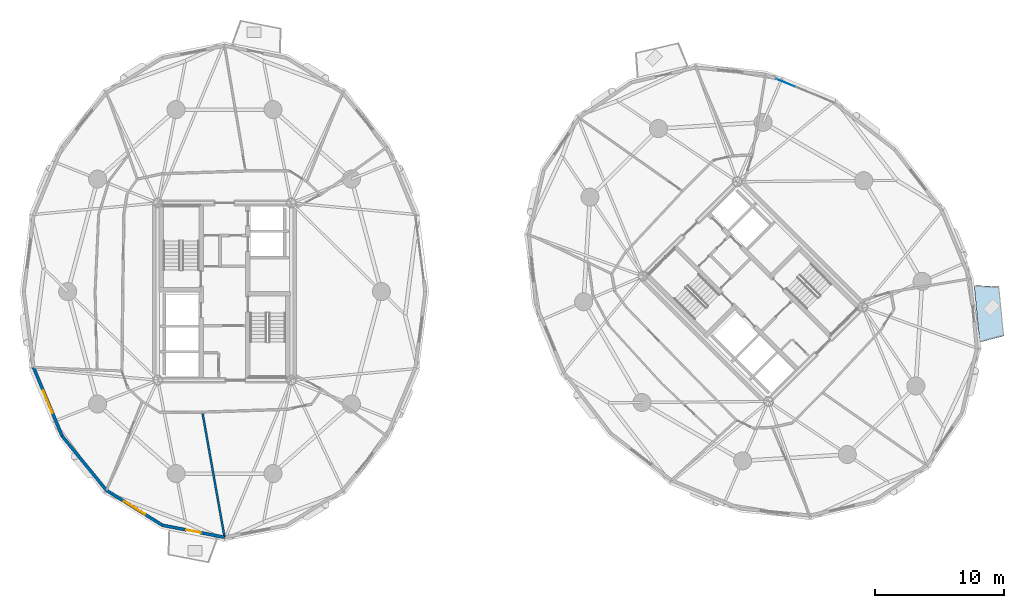
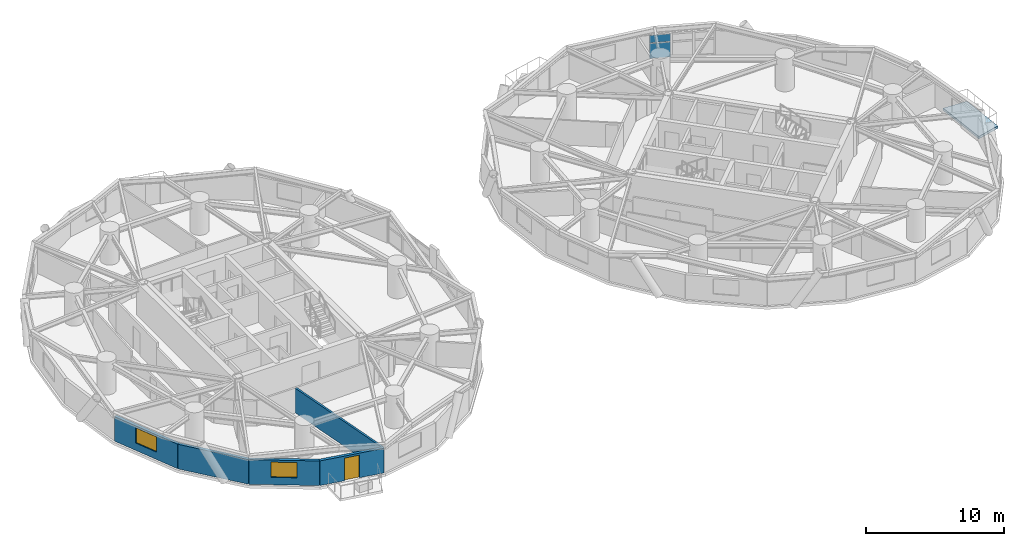
# One storey, part 8 of 17: 5 walls, 2 plates, 2 windows, 1 door, 1 slab, 3 openings, 1 element without a shape of its own.
"""IFC4 building model written with IfcOpenShell, lengths in metres."""

from ifc_helpers import new_model, si_unit, direction, frame, frame_2d, origin, origin_2d, place, context, subcontext, project, spatial, polyline, rectangle, outline, extrude, source, transform, mapped, material, layer, layer_set, type_object, element, fill, aggregate, save


model = new_model("IFC4")

# Units and contexts
model_context = context("Model", 3, precision=1e-05, world=origin(), true_north=direction((0.0, 1.0)))
body_context = subcontext(model_context, "Body", "Model", "MODEL_VIEW")
ifc_project = project(units=[si_unit("LENGTHUNIT", "METRE"), si_unit("AREAUNIT", "SQUARE_METRE"), si_unit("VOLUMEUNIT", "CUBIC_METRE"), si_unit("PLANEANGLEUNIT", "RADIAN"), si_unit("MASSUNIT", "GRAM", prefix="KILO")], contexts=[model_context])

# Site, building, storey
site_placement = place(None, origin())
site = spatial("IfcSite", under=ifc_project, at=site_placement, CompositionType="ELEMENT")
building_placement = place(site_placement, origin())
building = spatial("IfcBuilding", under=site, at=building_placement, Name="Cununo Teusaquillo Station Towers", CompositionType="ELEMENT")
storey_placement = place(building_placement, frame((0.0, 0.0, 113.800048828125)))
storey = spatial("IfcBuildingStorey", under=building, at=storey_placement, Name="L36", CompositionType="ELEMENT", Elevation=113.800048828125)

# Slab
ifc_material_1 = material(Name="Concrete C50/60", Category="concrete")
ifc_layer_1 = layer(ifc_material_1, 0.2099609375)
ifc_layer_set_1 = layer_set([ifc_layer_1], Name="Concrete C50/60")
slab_type = type_object("IfcSlabType", Name="SLB-BAL-210", PredefinedType="FLOOR", material=ifc_layer_set_1)
slab_placement = place(storey_placement, frame((0.0, 0.0, -0.2099609375)))
element("IfcSlab", 1, at=slab_placement, inside=storey, type_object=slab_type, Name="L36 Tower B Tree Balcony Slab 2", PredefinedType="FLOOR", context=body_context, shape_type="SweptSolid", body=[
    extrude(outline(polyline([(75.1123046875, 20.57080078125), (74.675048828125, 24.984375), (76.6103515625, 24.87451171875), (76.988525390625, 21.05810546875), (75.1123046875, 20.57080078125)])), origin(), (0.0, 0.0, 1.0), 0.2099609375),
])

# Curtain wall, plates
ifc_material_2 = material(Name="Ceramic-fritted dark low-E double glazing", Category="glass")
ifc_layer_2 = layer(ifc_material_2, 0.179931640625)
ifc_layer_set_2 = layer_set([ifc_layer_2], Name="Ceramic-fritted dark low-E double glazing")
curtain_wall_type = type_object("IfcCurtainWallType", Name="CW-SYS-04", PredefinedType="USERDEFINED", material=ifc_layer_set_2)
curtain_wall_placement = place(storey_placement, origin())
curtain_wall = element("IfcCurtainWall", 2, at=curtain_wall_placement, inside=storey, type_object=curtain_wall_type, Name="L36 Tower B Facade Curtain Wall C01", ObjectType="FRITTED GLAZING", PredefinedType="USERDEFINED")
ifc_material_3 = material(Name="Ceramic-fritted dark low-E double glazing", Category="glass")
ifc_layer_3 = layer(ifc_material_3, 0.028076171875)
ifc_layer_set_3 = layer_set([ifc_layer_3], Name="Ceramic-fritted dark low-E double glazing")
plate_type = type_object("IfcPlateType", Name="CWP-FRIT-28", PredefinedType="CURTAIN_PANEL", material=ifc_layer_set_3)
shared_shape_1 = source(origin(), body_context, "Body", "SweptSolid", [
    extrude(rectangle(XDim=1.531005859375, YDim=0.028076171875, at=origin_2d()), origin(), (0.0, 0.0, 1.0), 1.31103515625),
])
plate_1_placement = place(storey_placement, frame((60.045654296875, 40.697021484375, 0.06982421875), z_axis=(0.0, 0.0, 1.0), x_axis=(0.924562443652, -0.381030560176, 0.0)))
plate_1 = element("IfcPlate", 3, at=plate_1_placement, type_object=plate_type, Name="CW-04 panel 1.1", PredefinedType="CURTAIN_PANEL", context=body_context, shape_type="MappedRepresentation", body=[
    mapped(shared_shape_1, transform((0.0, 0.0, 0.0), x_axis=(1.0, 0.0, 0.0), y_axis=(0.0, 1.0, 0.0), z_axis=(0.0, 0.0, 1.0), scale=1.0)),
])
shared_shape_2 = source(origin(), body_context, "Body", "SweptSolid", [
    extrude(rectangle(XDim=1.531005859375, YDim=0.028076171875, at=origin_2d()), origin(), (0.0, 0.0, 1.0), 0.657958984375),
])
plate_2_placement = place(storey_placement, frame((60.045654296875, 40.697021484375, 1.451171875), z_axis=(0.0, 0.0, 1.0), x_axis=(0.924562443652, -0.381030560176, 0.0)))
plate_2 = element("IfcPlate", 4, at=plate_2_placement, type_object=plate_type, Name="CW-04 panel 1.2", PredefinedType="CURTAIN_PANEL", context=body_context, shape_type="MappedRepresentation", body=[
    mapped(shared_shape_2, transform((0.0, 0.0, 0.0), x_axis=(1.0, 0.0, 0.0), y_axis=(0.0, 1.0, 0.0), z_axis=(0.0, 0.0, 1.0), scale=1.0)),
])
aggregate(curtain_wall, [plate_1, plate_2])

# Wall, opening, window
ifc_material_4 = material(Name="Precast concrete C40/50", Category="concrete")
ifc_layer_4 = layer(ifc_material_4, 0.239990234375)
ifc_layer_set_4 = layer_set([ifc_layer_4], Name="Precast concrete C40/50")
wall_type_1 = type_object("IfcWallType", Name="WL-EXT-240", PredefinedType="SOLIDWALL", material=ifc_layer_set_4)
wall_1_placement = place(storey_placement, frame((3.894775390625, 13.291015625, 0.0), z_axis=(0.0, 0.0, 1.0), x_axis=(-0.384344417632, 0.923189779317, 0.0)))
wall_1 = element("IfcWall", 5, at=wall_1_placement, inside=storey, type_object=wall_type_1, Name="L36 Tower A Exterior Facade Wall C11", PredefinedType="SOLIDWALL", context=body_context, shape_type="SweptSolid", body=[
    extrude(rectangle(XDim=5.75830078125, YDim=0.239990234375, at=frame_2d((2.879150390625, 0.0))), origin(), (0.0, 0.0, 1.0), 2.178955078125),
])
shared_shape_3 = source(origin(), body_context, "Body", "SweptSolid", [
    extrude(rectangle(XDim=1.89990234375, YDim=1.35009765625, at=frame_2d((0.949951171875, 0.675048828125))), frame((0.0, 0.1298828125, 0.0), z_axis=(0.0, -1.0, 0.0), x_axis=(1.0, 0.0, 0.0)), (0.0, 0.0, 1.0), 0.260009765625),
])
opening_1_placement = place(wall_1_placement, frame((1.928955078125, 0.0, 0.64990234375)))
opening_1 = element("IfcOpeningElement", 6, at=opening_1_placement, cuts=wall_1, Name="Opening WN-02", PredefinedType="OPENING", context=body_context, shape_type="MappedRepresentation", body=[
    mapped(shared_shape_3, transform((0.0, 0.0, 0.0), x_axis=(1.0, 0.0, 0.0), y_axis=(0.0, 1.0, 0.0), z_axis=(0.0, 0.0, 1.0), scale=1.0)),
])
ifc_material_5 = material(Name="Operable acoustic tinted low-E double glazing", Category="glass")
window_type = type_object("IfcWindowType", Name="WIN-OPER-1900", PartitioningType="DOUBLE_PANEL_VERTICAL", PredefinedType="WINDOW", material=ifc_material_5)
shared_shape_4 = source(origin(), body_context, "Body", "SweptSolid", [
    extrude(rectangle(XDim=1.89990234375, YDim=1.35009765625, at=frame_2d((0.949951171875, 0.675048828125))), frame((0.0, 0.030029296875, 0.0), z_axis=(0.0, -1.0, 0.0), x_axis=(1.0, 0.0, 0.0)), (0.0, 0.0, 1.0), 0.06005859375),
])
window_1_placement = place(opening_1_placement, origin())
window_1 = element("IfcWindow", 7, at=window_1_placement, inside=storey, type_object=window_type, Name="L36 Tower A Facade Window C11", OverallHeight=1.35009765625, OverallWidth=1.89990234375, PartitioningType="DOUBLE_PANEL_VERTICAL", PredefinedType="WINDOW", context=body_context, shape_type="MappedRepresentation", body=[
    mapped(shared_shape_4, transform((0.0, 0.0, 0.0), x_axis=(1.0, 0.0, 0.0), y_axis=(0.0, 1.0, 0.0), z_axis=(0.0, 0.0, 1.0), scale=1.0)),
])
fill(opening_1, window_1)

# Wall
wall_2_placement = place(storey_placement, frame((7.341796875, 9.072021484375, 0.0), z_axis=(0.0, 0.0, 1.0), x_axis=(-0.632700781152, 0.77439635945, 0.0)))
element("IfcWall", 8, at=wall_2_placement, inside=storey, type_object=wall_type_1, Name="L36 Tower A Exterior Facade Wall C12", PredefinedType="SOLIDWALL", context=body_context, shape_type="SweptSolid", body=[
    extrude(rectangle(XDim=5.447998046875, YDim=0.239990234375, at=frame_2d((2.72412109375, 0.0))), origin(), (0.0, 0.0, 1.0), 2.178955078125),
])

# Wall, opening, window
wall_3_placement = place(storey_placement, frame((11.685302734375, 6.36328125, 0.0), z_axis=(0.0, 0.0, 1.0), x_axis=(-0.848520380187, 0.529162701263, 0.0)))
wall_3 = element("IfcWall", 9, at=wall_3_placement, inside=storey, type_object=wall_type_1, Name="L36 Tower A Exterior Facade Wall C13", PredefinedType="SOLIDWALL", context=body_context, shape_type="SweptSolid", body=[
    extrude(rectangle(XDim=5.118896484375, YDim=0.239990234375, at=frame_2d((2.5595703125, 0.0))), origin(), (0.0, 0.0, 1.0), 2.178955078125),
])
opening_2_placement = place(wall_3_placement, frame((1.60888671875, 0.0, 0.64990234375)))
opening_2 = element("IfcOpeningElement", 10, at=opening_2_placement, cuts=wall_3, Name="Opening WN-02", PredefinedType="OPENING", context=body_context, shape_type="MappedRepresentation", body=[
    mapped(shared_shape_3, transform((0.0, 0.0, 0.0), x_axis=(1.0, 0.0, 0.0), y_axis=(0.0, 1.0, 0.0), z_axis=(0.0, 0.0, 1.0), scale=1.0)),
])
window_2_placement = place(opening_2_placement, origin())
window_2 = element("IfcWindow", 11, at=window_2_placement, inside=storey, type_object=window_type, Name="L36 Tower A Facade Window C13", OverallHeight=1.35009765625, OverallWidth=1.89990234375, PartitioningType="DOUBLE_PANEL_VERTICAL", PredefinedType="WINDOW", context=body_context, shape_type="MappedRepresentation", body=[
    mapped(shared_shape_4, transform((0.0, 0.0, 0.0), x_axis=(1.0, 0.0, 0.0), y_axis=(0.0, 1.0, 0.0), z_axis=(0.0, 0.0, 1.0), scale=1.0)),
])
fill(opening_2, window_2)

# Wall, opening, door
wall_4_placement = place(storey_placement, frame((16.5, 5.429931640625, 0.0), z_axis=(0.0, 0.0, 1.0), x_axis=(-0.981723785992, 0.190311344954, 0.0)))
wall_4 = element("IfcWall", 12, at=wall_4_placement, inside=storey, type_object=wall_type_1, Name="L36 Tower A Exterior Facade Wall C14", PredefinedType="SOLIDWALL", context=body_context, shape_type="SweptSolid", body=[
    extrude(rectangle(XDim=4.904296875, YDim=0.239990234375, at=frame_2d((2.4521484375, 0.0))), origin(), (0.0, 0.0, 1.0), 2.178955078125),
])
shared_shape_5 = source(origin(), body_context, "Body", "SweptSolid", [
    extrude(rectangle(XDim=1.14990234375, YDim=2.0048828125, at=frame_2d((0.574951171875, 1.00244140625))), frame((0.0, 0.1298828125, 0.0), z_axis=(0.0, -1.0, 0.0), x_axis=(1.0, 0.0, 0.0)), (0.0, 0.0, 1.0), 0.260009765625),
])
opening_3_placement = place(wall_4_placement, frame((1.876953125, 0.0, 0.0)))
opening_3 = element("IfcOpeningElement", 13, at=opening_3_placement, cuts=wall_4, Name="Opening ED-03", PredefinedType="OPENING", context=body_context, shape_type="MappedRepresentation", body=[
    mapped(shared_shape_5, transform((0.0, 0.0, 0.0), x_axis=(1.0, 0.0, 0.0), y_axis=(0.0, 1.0, 0.0), z_axis=(0.0, 0.0, 1.0), scale=1.0)),
])
ifc_material_6 = material(Name="Anodised dark bronze aluminium EN AW-6063-T6", Category="aluminium")
door_type = type_object("IfcDoorType", Name="DR-EXT-BAL", OperationType="NOTDEFINED", PredefinedType="DOOR", material=ifc_material_6)
shared_shape_6 = source(origin(), body_context, "Body", "SweptSolid", [
    extrude(rectangle(XDim=1.14990234375, YDim=2.0048828125, at=frame_2d((0.574951171875, 1.00244140625))), frame((0.0, 0.02490234375, 0.0), z_axis=(0.0, -1.0, 0.0), x_axis=(1.0, 0.0, 0.0)), (0.0, 0.0, 1.0), 0.050048828125),
])
door_placement = place(opening_3_placement, origin())
door = element("IfcDoor", 14, at=door_placement, inside=storey, type_object=door_type, Name="L36 Tower A Tree Balcony Door C14", OperationType="SINGLE_SWING_LEFT", OverallHeight=2.0048828125, OverallWidth=1.14990234375, PredefinedType="DOOR", context=body_context, shape_type="MappedRepresentation", body=[
    mapped(shared_shape_6, transform((0.0, 0.0, 0.0), x_axis=(1.0, 0.0, 0.0), y_axis=(0.0, 1.0, 0.0), z_axis=(0.0, 0.0, 1.0), scale=1.0)),
])
fill(opening_3, door)

# Wall
ifc_material_7 = material(Name="Fire-rated gypsum plasterboard partition assembly", Category="gypsum")
ifc_layer_5 = layer(ifc_material_7, 0.159912109375)
ifc_layer_set_5 = layer_set([ifc_layer_5], Name="Fire-rated gypsum plasterboard partition assembly")
wall_type_2 = type_object("IfcWallType", Name="WL-PART-160", PredefinedType="PARTITIONING", material=ifc_layer_set_5)
wall_5_placement = place(storey_placement, frame((14.781005859375, 15.140625, 0.0), z_axis=(0.0, 0.0, 1.0), x_axis=(0.174659805548, -0.984628839881, 0.0)))
element("IfcWall", 15, at=wall_5_placement, inside=storey, type_object=wall_type_2, Name="L36 Tower A Radial Suite Partition R05", PredefinedType="PARTITIONING", context=body_context, shape_type="SweptSolid", body=[
    extrude(rectangle(XDim=9.842041015625, YDim=0.159912109375, at=frame_2d((4.9208984375, 0.0))), origin(), (0.0, 0.0, 1.0), 2.178955078125),
])

save(model, "model.ifc")
